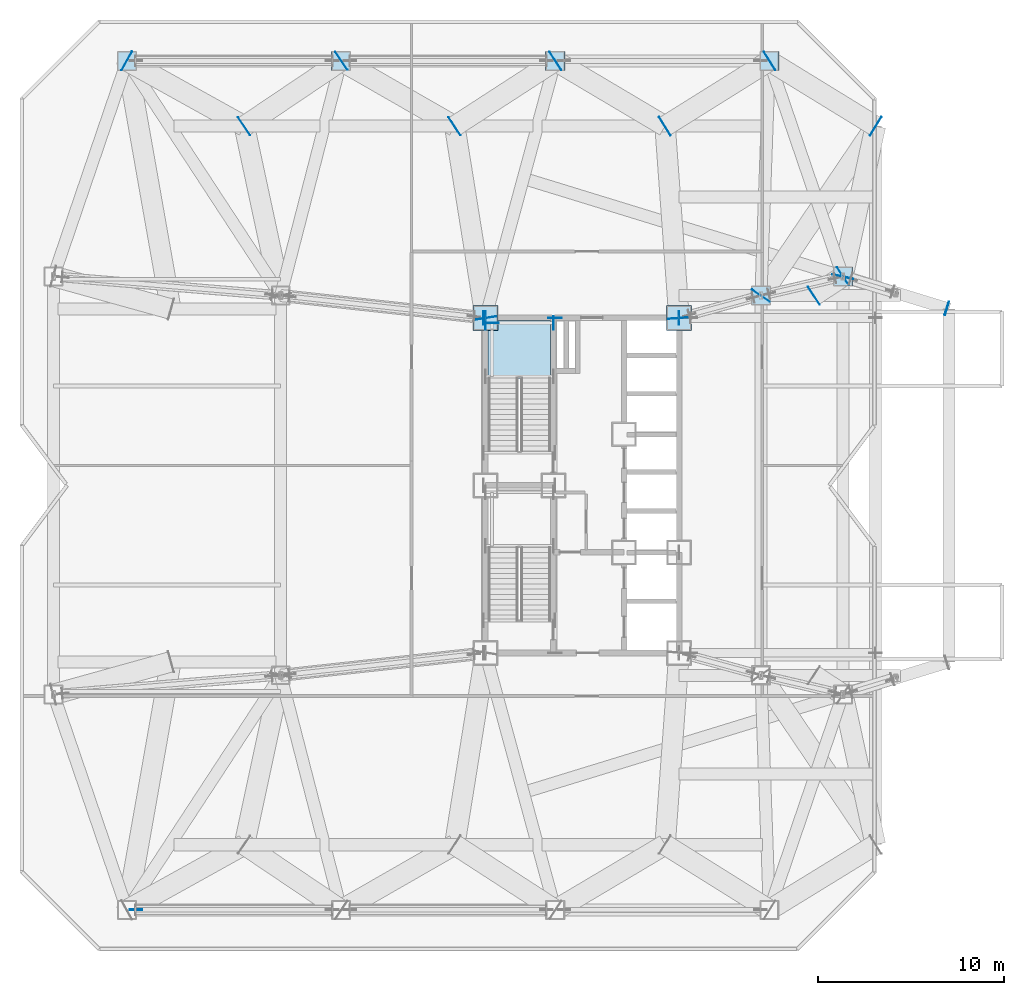
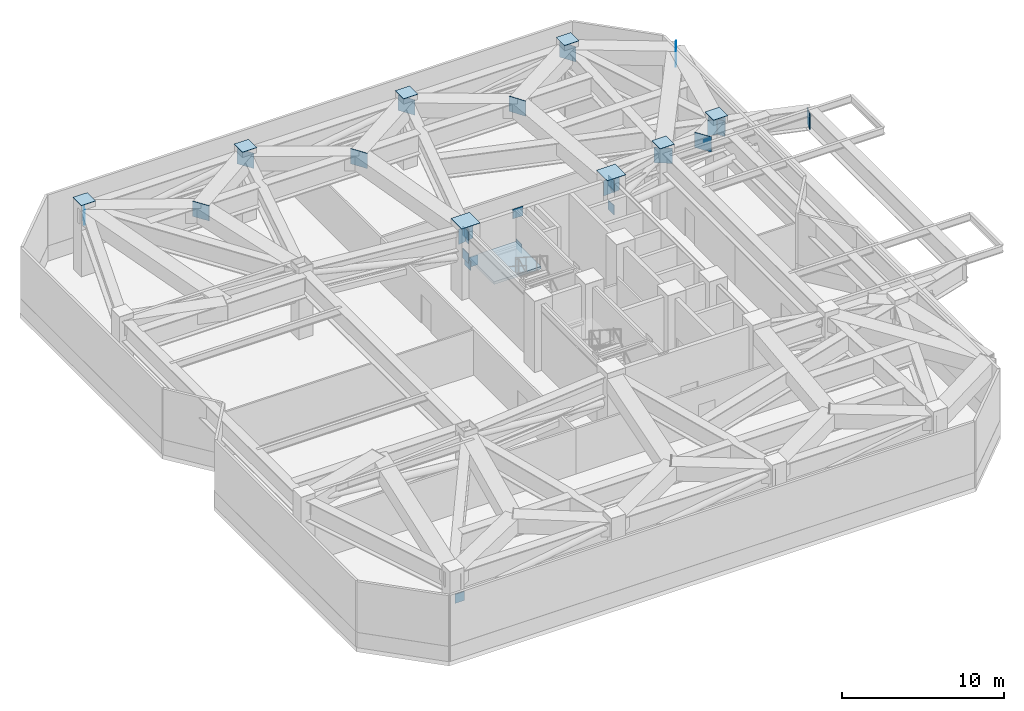
# One storey, part 9 of 18: 38 plates, 1 slab, 1 element without a shape of its own.
"""IFC4 building model written with IfcOpenShell, lengths in metres."""

from ifc_helpers import new_model, si_unit, direction, frame, origin, origin_2d, place, context, subcontext, project, spatial, polyline, rectangle, outline, extrude, material, layer, layer_set, type_object, element, aggregate, save


model = new_model("IFC4")

# Units and contexts
model_context = context("Model", 3, precision=1e-05, world=origin(), true_north=direction((0.0, 1.0)))
body_context = subcontext(model_context, "Body", "Model", "MODEL_VIEW")
ifc_project = project(units=[si_unit("LENGTHUNIT", "METRE"), si_unit("AREAUNIT", "SQUARE_METRE"), si_unit("VOLUMEUNIT", "CUBIC_METRE"), si_unit("PLANEANGLEUNIT", "RADIAN"), si_unit("MASSUNIT", "GRAM", prefix="KILO")], contexts=[model_context])

# Site, building, storey
site_placement = place(None, origin())
site = spatial("IfcSite", under=ifc_project, at=site_placement, CompositionType="ELEMENT")
building_placement = place(site_placement, origin())
building = spatial("IfcBuilding", under=site, at=building_placement, Name="Khamvora Tower", CompositionType="ELEMENT")
storey_placement = place(building_placement, frame((0.0, 0.0, 84.39990234375)))
storey = spatial("IfcBuildingStorey", under=building, at=storey_placement, Name="L21", CompositionType="ELEMENT", Elevation=84.39990234375)

# Plates
ifc_material_1 = material(Name="Steel S355", Category="steel")
ifc_layer_1 = layer(ifc_material_1, 0.02490234375)
ifc_layer_set_1 = layer_set([ifc_layer_1], Name="Steel S355")
plate_type_1 = type_object("IfcPlateType", Name="PL-CAP-25", PredefinedType="SHEET", material=ifc_layer_set_1)
for number, where, z_axis, x_axis, name in (
    (1, (29.0, 37.0, 5.374755859375), (0.0, 0.0, 1.0), (1.0, 0.0, 0.0), "L21 hollow section steel end cap plate 0038"),
    (2, (39.39990234375, 37.0, 5.374755859375), (0.0, 0.0, 1.0), (1.0, 0.0, 0.0), "L21 hollow section steel end cap plate 0050"),
):
    element("IfcPlate", number, at=place(storey_placement, frame(where, z_axis=z_axis, x_axis=x_axis)), inside=storey, type_object=plate_type_1, Name=name, PredefinedType="SHEET", context=body_context, shape_type="SweptSolid", body=[
        extrude(rectangle(XDim=1.330078125, YDim=1.330078125, at=origin_2d()), origin(), (0.0, 0.0, 1.0), 0.02490234375),
    ])
for number, where, z_axis, x_axis, name in (
    (3, (9.75, 50.800048828125, 5.374755859375), (0.0, 0.0, 1.0), (1.0, 0.0, 0.0), "L21 hollow section steel end cap plate 0099"),
    (4, (21.25, 50.800048828125, 5.374755859375), (0.0, 0.0, 1.0), (1.0, 0.0, 0.0), "L21 hollow section steel end cap plate 0103"),
    (5, (32.75, 50.800048828125, 5.374755859375), (0.0, 0.0, 1.0), (1.0, 0.0, 0.0), "L21 hollow section steel end cap plate 0107"),
    (6, (44.25, 50.800048828125, 5.374755859375), (0.0, 0.0, 1.0), (1.0, 0.0, 0.0), "L21 hollow section steel end cap plate 0111"),
    (7, (48.199951171875, 39.22998046875, 5.374755859375), (0.0, 0.0, 1.0), (1.0, 0.0, 0.0), "L21 hollow section steel end cap plate 0127"),
    (8, (43.800048828125, 38.199951171875, 5.374755859375), (0.0, 0.0, 1.0), (1.0, 0.0, 0.0), "L21 hollow section steel end cap plate 0145"),
):
    element("IfcPlate", number, at=place(storey_placement, frame(where, z_axis=z_axis, x_axis=x_axis)), inside=storey, type_object=plate_type_1, Name=name, PredefinedType="SHEET", context=body_context, shape_type="SweptSolid", body=[
        extrude(rectangle(XDim=1.030029296875, YDim=1.030029296875, at=origin_2d()), origin(), (0.0, 0.0, 1.0), 0.02490234375),
    ])
for number, where, z_axis, x_axis, name in (
    (9, (21.260009765625, 50.806884765625, 3.85009765625), (0.0, 0.0, 1.0), (-0.829583722896, -0.558382348132, 0.0), "L21 hollow section steel end cap plate 0707"),
    (10, (16.0400390625, 47.29296875, 3.85009765625), (0.0, 0.0, 1.0), (-0.829583722896, -0.558382348132, 0.0), "L21 hollow section steel end cap plate 0708"),
    (11, (9.739013671875, 50.805908203125, 3.85009765625), (0.0, 0.0, 1.0), (0.874153920417, -0.485648971397, 0.0), "L21 hollow section steel end cap plate 0709"),
    (12, (32.760009765625, 50.806884765625, 3.85009765625), (0.0, 0.0, 1.0), (-0.839155028602, -0.543892303652, 0.0), "L21 hollow section steel end cap plate 0711"),
    (13, (27.340087890625, 47.29296875, 3.85009765625), (0.0, 0.0, 1.0), (-0.839155028602, -0.543892303652, 0.0), "L21 hollow section steel end cap plate 0712"),
    (14, (29.001953125, 36.988037109375, 3.85009765625), (0.0, 0.0, 1.0), (-0.158175300852, 0.987411046222, 0.0), "L21 hollow section steel end cap plate 0713"),
    (15, (44.260986328125, 50.806884765625, 3.85009765625), (0.0, 0.0, 1.0), (-0.848001848748, -0.529993268373, 0.0), "L21 hollow section steel end cap plate 0714"),
    (16, (38.638916015625, 47.29296875, 3.85009765625), (0.0, 0.0, 1.0), (-0.848001848748, -0.529993268373, 0.0), "L21 hollow section steel end cap plate 0715"),
    (17, (39.40087890625, 36.988037109375, 3.85009765625), (0.0, 0.0, 1.0), (-0.072628958755, 0.997359029813, 0.0), "L21 hollow section steel end cap plate 0716"),
    (18, (49.9609375, 47.29296875, 3.85009765625), (0.0, 0.0, 1.0), (0.852174741303, -0.523257307914, 0.0), "L21 hollow section steel end cap plate 0717"),
    (19, (48.197021484375, 39.212890625, 3.85009765625), (0.0, 0.0, 1.0), (0.211802426717, 0.977312504799, 0.0), "L21 hollow section steel end cap plate 0718"),
    (20, (43.79296875, 38.18994140625, 3.85009765625), (0.0, 0.0, 1.0), (0.559945083702, 0.828529723811, 0.0), "L21 hollow section steel end cap plate 0719"),
    (21, (48.2099609375, 39.23193359375, 3.85009765625), (0.0, 0.0, 1.0), (-0.834116943728, -0.551587639625, 0.0), "L21 hollow section steel end cap plate 0726"),
    (22, (46.639892578125, 38.193115234375, 3.85009765625), (0.0, 0.0, 1.0), (-0.834116943728, -0.551587639625, 0.0), "L21 hollow section steel end cap plate 0727"),
):
    element("IfcPlate", number, at=place(storey_placement, frame(where, z_axis=z_axis, x_axis=x_axis)), inside=storey, type_object=plate_type_1, Name=name, PredefinedType="SHEET", context=body_context, shape_type="SweptSolid", body=[
        extrude(rectangle(XDim=0.02490234375, YDim=1.159912109375, at=origin_2d()), origin(), (0.0, 0.0, 1.0), 1.159912109375),
    ])
ifc_material_2 = material(Name="Steel S460", Category="steel")
ifc_layer_2 = layer(ifc_material_2, 0.034912109375)
ifc_layer_set_2 = layer_set([ifc_layer_2], Name="Steel S460")
plate_type_2 = type_object("IfcPlateType", Name="PL-EMB-35", PredefinedType="SHEET", material=ifc_layer_set_2)
for number, where, z_axis, x_axis, name in (
    (23, (29.0, 36.72998046875, 2.00927734375), (0.0, 0.0, 1.0), (1.0, 0.0, 0.0), "L21 core shear wall cast-in embed plate 0624"),
    (24, (32.64990234375, 36.72998046875, 2.00927734375), (0.0, 0.0, 1.0), (1.0, 0.0, 0.0), "L21 core shear wall cast-in embed plate 0625"),
):
    element("IfcPlate", number, at=place(storey_placement, frame(where, z_axis=z_axis, x_axis=x_axis)), inside=storey, type_object=plate_type_2, Name=name, PredefinedType="SHEET", context=body_context, shape_type="SweptSolid", body=[
        extrude(rectangle(XDim=0.034912109375, YDim=0.719970703125, at=origin_2d()), origin(), (0.0, 0.0, 1.0), 0.719970703125),
    ])
plate_1_placement = place(storey_placement, frame((29.35009765625, 36.72998046875, 2.00927734375), z_axis=(0.0, 0.0, 1.0), x_axis=(1.0, 0.0, 0.0)))
element("IfcPlate", 25, at=plate_1_placement, inside=storey, type_object=plate_type_2, Name="L21 core shear wall cast-in embed plate 0626", PredefinedType="SHEET", context=body_context, shape_type="SweptSolid", body=[
    extrude(rectangle(XDim=0.719970703125, YDim=0.034912109375, at=origin_2d()), origin(), (0.0, 0.0, 1.0), 0.719970703125),
])
for number, where, z_axis, x_axis, name in (
    (26, (29.0, 37.0, 4.27001953125), (0.0, 0.0, 1.0), (1.0, 0.0, 0.0), "L21 core shear wall cast-in embed plate 0629"),
    (27, (29.0, 37.0, 2.39990234375), (0.0, 0.0, 1.0), (1.0, 0.0, 0.0), "L21 core shear wall cast-in embed plate 0630"),
    (28, (39.39990234375, 37.0, 4.27001953125), (0.0, 0.0, 1.0), (1.0, 0.0, 0.0), "L21 core shear wall cast-in embed plate 0633"),
    (29, (39.39990234375, 37.0, 2.39990234375), (0.0, 0.0, 1.0), (1.0, 0.0, 0.0), "L21 core shear wall cast-in embed plate 0634"),
    (30, (29.0, 37.0, 3.84521484375), (0.0, 0.0, 1.0), (1.0, 0.0, 0.0), "L21 core shear wall cast-in embed plate 0636"),
    (31, (39.39990234375, 37.0, 4.1533203125), (0.0, 0.0, 1.0), (1.0, 0.0, 0.0), "L21 core shear wall cast-in embed plate 0638"),
    (32, (28.89990234375, 37.0, 4.35400390625), (0.0, 0.0, 1.0), (1.0, 0.0, 0.0), "L21 core shear wall cast-in embed plate 0641"),
):
    element("IfcPlate", number, at=place(storey_placement, frame(where, z_axis=z_axis, x_axis=x_axis)), inside=storey, type_object=plate_type_2, Name=name, PredefinedType="SHEET", context=body_context, shape_type="SweptSolid", body=[
        extrude(rectangle(XDim=0.034912109375, YDim=0.719970703125, at=origin_2d()), origin(), (0.0, 0.0, 1.0), 0.719970703125),
    ])
plate_2_placement = place(storey_placement, frame((32.72998046875, 37.0, 4.35400390625), z_axis=(0.0, 0.0, 1.0), x_axis=(1.0, 0.0, 0.0)))
element("IfcPlate", 33, at=plate_2_placement, inside=storey, type_object=plate_type_2, Name="L21 core shear wall cast-in embed plate 0644", PredefinedType="SHEET", context=body_context, shape_type="SweptSolid", body=[
    extrude(rectangle(XDim=0.719970703125, YDim=0.034912109375, at=origin_2d()), origin(), (0.0, 0.0, 1.0), 0.719970703125),
])
for number, where, z_axis, x_axis, name in (
    (34, (39.39990234375, 37.0, 4.35400390625), (0.0, 0.0, 1.0), (1.0, 0.0, 0.0), "L21 core shear wall cast-in embed plate 0647"),
    (35, (29.0, 37.0, 4.0703125), (0.0, 0.0, 1.0), (1.0, 0.0, 0.0), "L21 core shear wall cast-in embed plate 0654"),
    (36, (39.39990234375, 37.0, 4.0703125), (0.0, 0.0, 1.0), (1.0, 0.0, 0.0), "L21 core shear wall cast-in embed plate 0655"),
):
    element("IfcPlate", number, at=place(storey_placement, frame(where, z_axis=z_axis, x_axis=x_axis)), inside=storey, type_object=plate_type_2, Name=name, PredefinedType="SHEET", context=body_context, shape_type="SweptSolid", body=[
        extrude(rectangle(XDim=0.034912109375, YDim=0.719970703125, at=origin_2d()), origin(), (0.0, 0.0, 1.0), 0.719970703125),
    ])
ifc_layer_3 = layer(ifc_material_2, 0.044921875)
ifc_layer_set_3 = layer_set([ifc_layer_3], Name="Steel S460")
plate_type_3 = type_object("IfcPlateType", Name="PLT-CAP-45", PredefinedType="SHEET", material=ifc_layer_set_3)
plate_3_placement = place(storey_placement, frame((53.784912109375, 37.510009765625, 3.5302734375), z_axis=(0.0, 0.0, 1.0), x_axis=(0.955960137678, -0.293496533489, 0.0)))
element("IfcPlate", 37, at=plate_3_placement, inside=storey, type_object=plate_type_3, Name="L21 transfer box end cap plate E2", PredefinedType="SHEET", context=body_context, shape_type="SweptSolid", body=[
    extrude(rectangle(XDim=0.044921875, YDim=0.75, at=origin_2d()), origin(), (0.0, 0.0, 1.0), 1.199951171875),
])
ifc_layer_4 = layer(ifc_material_2, 0.050048828125)
ifc_layer_set_4 = layer_set([ifc_layer_4], Name="Steel S460")
plate_type_4 = type_object("IfcPlateType", Name="PLT-GUS-50", PredefinedType="SHEET", material=ifc_layer_set_4)
plate_4_placement = place(storey_placement, frame((10.22412109375, 5.199951171875, 2.4970703125), z_axis=(0.0, 0.0, 1.0), x_axis=(1.0, 0.0, 0.0)))
element("IfcPlate", 38, at=plate_4_placement, inside=storey, type_object=plate_type_4, Name="L21 brace connection node gusset plate 0145", PredefinedType="SHEET", context=body_context, shape_type="SweptSolid", body=[
    extrude(rectangle(XDim=0.679931640625, YDim=0.050048828125, at=origin_2d()), origin(), (0.0, 0.0, 1.0), 0.679931640625),
])

# Stair, slab
ifc_material_3 = material(Name="Concrete C40/50", Category="concrete")
stair_type = type_object("IfcStairType", Name="STR-ST-02", PredefinedType="HALF_TURN_STAIR", material=ifc_material_3)
stair_placement = place(storey_placement, origin())
stair = element("IfcStair", 39, at=stair_placement, inside=storey, type_object=stair_type, Name="L21 North Tower Exit Stair ST-02", PredefinedType="HALF_TURN_STAIR")
ifc_layer_5 = layer(ifc_material_3, 0.199951171875)
ifc_layer_set_5 = layer_set([ifc_layer_5], Name="Concrete C40/50")
slab_type = type_object("IfcSlabType", Name="SLB-LND-200", PredefinedType="LANDING", material=ifc_layer_set_5)
slab_placement = place(storey_placement, frame((0.0, 0.0, 2.5)))
slab = element("IfcSlab", 40, at=slab_placement, type_object=slab_type, Name="ST-02 landing 1", PredefinedType="LANDING", context=body_context, shape_type="SweptSolid", body=[
    extrude(outline(polyline([(32.5, 33.735107421875), (32.5, 36.85009765625), (29.14990234375, 36.85009765625), (29.14990234375, 33.735107421875), (32.5, 33.735107421875)])), origin(), (0.0, 0.0, 1.0), 0.2001953125),
])
aggregate(stair, [slab])

save(model, "model.ifc")
